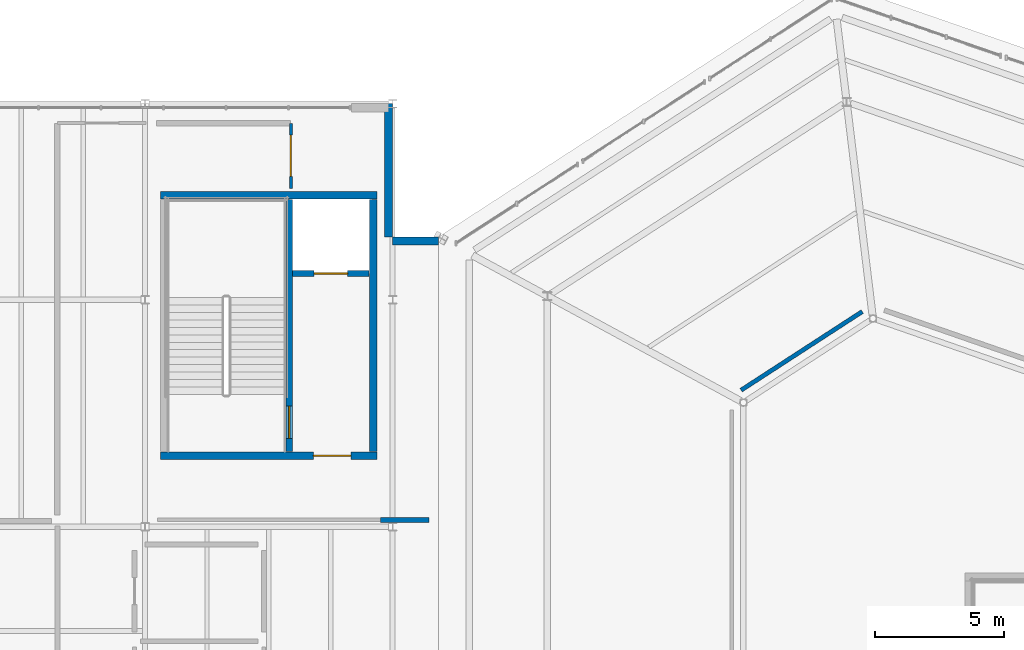
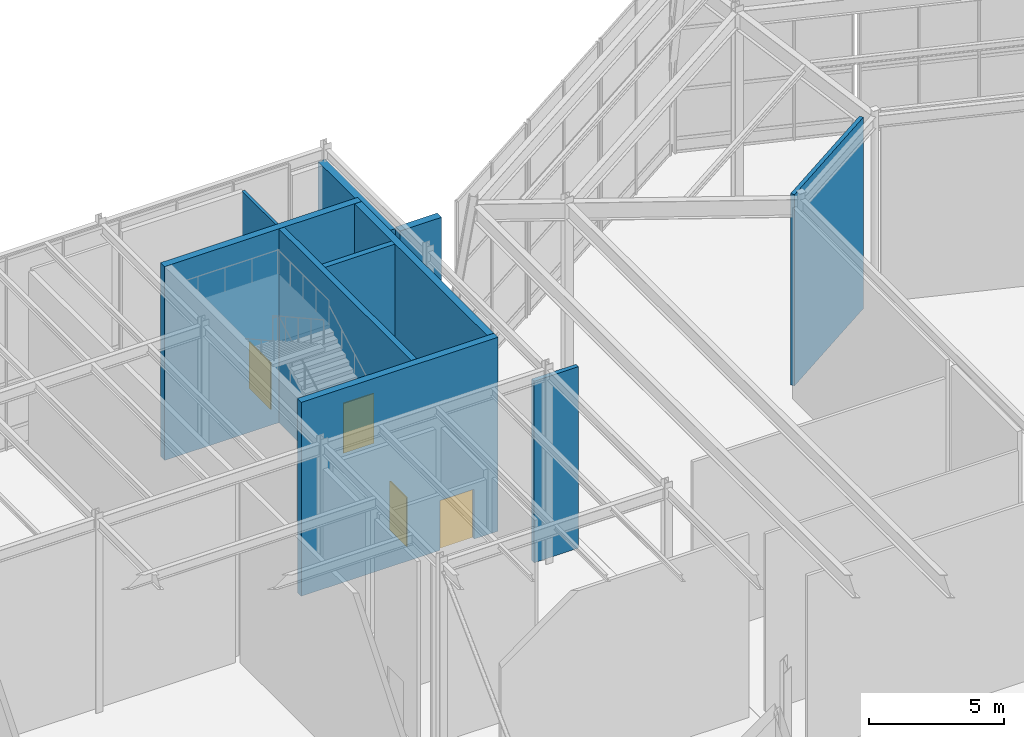
# One storey, part 38 of 48: 10 walls, 4 doors, 4 openings.
"""IFC4 building model written with IfcOpenShell, lengths in metres."""

from ifc_helpers import new_model, si_unit, direction, frame, frame_2d, origin, place, context, subcontext, project, spatial, rectangle, extrude, material, layer, layer_set, type_object, element, fill, save


model = new_model("IFC4")

# Units and contexts
model_context = context("Model", 3, precision=1e-05, world=origin(), true_north=direction((0.0, 1.0)))
body_context = subcontext(model_context, "Body", "Model", "MODEL_VIEW")
ifc_project = project(units=[si_unit("LENGTHUNIT", "METRE"), si_unit("AREAUNIT", "SQUARE_METRE"), si_unit("VOLUMEUNIT", "CUBIC_METRE"), si_unit("PLANEANGLEUNIT", "RADIAN"), si_unit("MASSUNIT", "GRAM", prefix="KILO")], contexts=[model_context])

# Site, building, storey
site_placement = place(None, origin())
site = spatial("IfcSite", under=ifc_project, at=site_placement, CompositionType="ELEMENT")
building_placement = place(site_placement, origin())
building = spatial("IfcBuilding", under=site, at=building_placement, Name="Sarnbrook Museum", CompositionType="ELEMENT")
storey_placement = place(building_placement, frame((0.0, 0.0, 19.10009765625)))
storey = spatial("IfcBuildingStorey", under=building, at=storey_placement, Name="L04", CompositionType="ELEMENT", Elevation=19.10009765625)

# Wall, opening, door
ifc_material_1 = material(Name="Concrete N50 (AS 3600, f'c = 50 MPa)", Category="concrete")
ifc_layer_1 = layer(ifc_material_1, 0.300048828125)
ifc_layer_set_1 = layer_set([ifc_layer_1], Name="Concrete N50 (AS 3600, f'c = 50 MPa)")
wall_type_1 = type_object("IfcWallType", Name="CoreWall_CWRC", PredefinedType="SHEAR", material=ifc_layer_set_1)
wall_1_placement = place(storey_placement, frame((110.199951171875, 94.75, 0.0), z_axis=(0.0, 0.0, 1.0), x_axis=(1.0, 0.0, 0.0)))
wall_1 = element("IfcWall", 1, at=wall_1_placement, inside=storey, type_object=wall_type_1, Name="Core C2 Shear Wall S L04", PredefinedType="SHEAR", context=body_context, shape_type="SweptSolid", body=[
    extrude(rectangle(XDim=8.400146484375, YDim=0.300048828125, at=frame_2d((4.2001953125, 0.0))), origin(), (0.0, 0.0, 1.0), 8.744873046875),
])
opening_1_placement = place(wall_1_placement, frame((5.925048828125, 0.0, 0.0)))
opening_1 = element("IfcOpeningElement", 2, at=opening_1_placement, cuts=wall_1, Name="Opening D-LOB-C2-L04", PredefinedType="OPENING", context=body_context, shape_type="SweptSolid", body=[
    extrude(rectangle(XDim=1.449951171875, YDim=2.25, at=frame_2d((0.72509765625, 1.125))), frame((0.0, 0.16015625, 0.0), z_axis=(0.0, -1.0, 0.0), x_axis=(1.0, 0.0, 0.0)), (0.0, 0.0, 1.0), 0.320068359375),
])
ifc_material_2 = material(Name="Tasmanian Oak Acoustic Timber", Category="wood")
door_type_1 = type_object("IfcDoorType", Name="FireDoor_FD120W", OperationType="NOTDEFINED", PredefinedType="DOOR", material=ifc_material_2)
door_1_placement = place(opening_1_placement, origin())
door_1 = element("IfcDoor", 3, at=door_1_placement, inside=storey, type_object=door_type_1, Name="Core C2 Fire Lobby Entry Door L04", OperationType="SINGLE_SWING_RIGHT", OverallHeight=2.25, OverallWidth=1.449951171875, PredefinedType="DOOR", context=body_context, shape_type="SweptSolid", body=[
    extrude(rectangle(XDim=1.449951171875, YDim=2.25, at=frame_2d((0.72509765625, 1.125))), frame((0.0, 0.02490234375, 0.0), z_axis=(0.0, -1.0, 0.0), x_axis=(1.0, 0.0, 0.0)), (0.0, 0.0, 1.0), 0.050048828125),
])
fill(opening_1, door_1)

# Walls
wall_2_placement = place(storey_placement, frame((118.60009765625, 104.85009765625, 0.0), z_axis=(0.0, 0.0, 1.0), x_axis=(-1.0, 0.0, 0.0)))
element("IfcWall", 4, at=wall_2_placement, inside=storey, type_object=wall_type_1, Name="Core C2 Shear Wall N L04", PredefinedType="SHEAR", context=body_context, shape_type="SweptSolid", body=[
    extrude(rectangle(XDim=8.400146484375, YDim=0.300048828125, at=frame_2d((4.2001953125, 0.0))), origin(), (0.0, 0.0, 1.0), 8.744873046875),
])
wall_3_placement = place(storey_placement, frame((118.449951171875, 94.909912109375, 0.0), z_axis=(0.0, 0.0, 1.0), x_axis=(0.0, 1.0, 0.0)))
element("IfcWall", 5, at=wall_3_placement, inside=storey, type_object=wall_type_1, Name="Core C2 Shear Wall E L04", PredefinedType="SHEAR", context=body_context, shape_type="SweptSolid", body=[
    extrude(rectangle(XDim=9.780029296875, YDim=0.300048828125, at=frame_2d((4.89013671875, 0.0))), origin(), (0.0, 0.0, 1.0), 8.744873046875),
])

# Wall, opening, door
ifc_material_3 = material(Name="Fire-Rated Acoustic Gypsum Plasterboard")
ifc_layer_2 = layer(ifc_material_3, 0.1201171875)
ifc_layer_set_2 = layer_set([ifc_layer_2], Name="Fire-Rated Acoustic Gypsum Plasterboard")
wall_type_2 = type_object("IfcWallType", Name="PartWall_P120", PredefinedType="PARTITIONING", material=ifc_layer_set_2)
wall_4_placement = place(storey_placement, frame((115.25, 105.1201171875, 0.0), z_axis=(0.0, 0.0, 1.0), x_axis=(0.0, 1.0, 0.0)))
wall_4 = element("IfcWall", 6, at=wall_4_placement, inside=storey, type_object=wall_type_2, Name="Interior Partition Wall L04-0783", PredefinedType="PARTITIONING", context=body_context, shape_type="SweptSolid", body=[
    extrude(rectangle(XDim=2.519775390625, YDim=0.1201171875, at=frame_2d((1.259765625, 0.0))), origin(), (0.0, 0.0, 1.0), 8.6298828125),
])
opening_2_placement = place(wall_4_placement, frame((0.4599609375, 0.0, 0.0)))
opening_2 = element("IfcOpeningElement", 7, at=opening_2_placement, cuts=wall_4, Name="Opening D-L04-221", PredefinedType="OPENING", context=body_context, shape_type="SweptSolid", body=[
    extrude(rectangle(XDim=1.60009765625, YDim=2.10009765625, at=frame_2d((0.800048828125, 1.050048828125))), frame((0.0, 0.070068359375, 0.0), z_axis=(0.0, -1.0, 0.0), x_axis=(1.0, 0.0, 0.0)), (0.0, 0.0, 1.0), 0.14013671875),
])
ifc_material_4 = material(Name="Patinated Architectural Bronze")
door_type_2 = type_object("IfcDoorType", Name="ServiceGate_G1", OperationType="NOTDEFINED", PredefinedType="GATE", material=ifc_material_4)
door_2_placement = place(opening_2_placement, origin())
door_2 = element("IfcDoor", 8, at=door_2_placement, inside=storey, type_object=door_type_2, Name="Climate & Anthropocene Exhibition L04-11 Door D-L04-221", OperationType="DOUBLE_DOOR_SINGLE_SWING", OverallHeight=2.10009765625, OverallWidth=1.60009765625, PredefinedType="GATE", context=body_context, shape_type="SweptSolid", body=[
    extrude(rectangle(XDim=1.60009765625, YDim=2.10009765625, at=frame_2d((0.800048828125, 1.050048828125))), frame((0.0, 0.02490234375, 0.0), z_axis=(0.0, -1.0, 0.0), x_axis=(1.0, 0.0, 0.0)), (0.0, 0.0, 1.0), 0.050048828125),
])
fill(opening_2, door_2)

# Walls
ifc_layer_3 = layer(ifc_material_3, 0.1650390625)
ifc_layer_set_3 = layer_set([ifc_layer_3], Name="Fire-Rated Acoustic Gypsum Plasterboard")
wall_type_3 = type_object("IfcWallType", Name="PartWall_P165", PredefinedType="PARTITIONING", material=ifc_layer_set_3)
wall_5_placement = place(storey_placement, frame((137.409423828125, 100.339111328125, 0.0), z_axis=(0.0, 0.0, 1.0), x_axis=(-0.838914477988, -0.544263262238, 0.0)))
element("IfcWall", 9, at=wall_5_placement, inside=storey, type_object=wall_type_3, Name="Interior Partition Wall L04-0752", PredefinedType="PARTITIONING", context=body_context, shape_type="SweptSolid", body=[
    extrude(rectangle(XDim=5.599609375, YDim=0.1650390625, at=frame_2d((2.7998046875, 0.0))), origin(), (0.0, 0.0, 1.0), 8.6298828125),
])
ifc_layer_4 = layer(ifc_material_3, 0.179931640625)
ifc_layer_set_4 = layer_set([ifc_layer_4], Name="Fire-Rated Acoustic Gypsum Plasterboard")
wall_type_4 = type_object("IfcWallType", Name="PartWall_P180", PredefinedType="PARTITIONING", material=ifc_layer_set_4)
wall_6_placement = place(storey_placement, frame((118.719970703125, 92.260009765625, 0.0), z_axis=(0.0, 0.0, 1.0), x_axis=(1.0, 0.0, 0.0)))
element("IfcWall", 10, at=wall_6_placement, inside=storey, type_object=wall_type_4, Name="Interior Partition Wall L04-0800", PredefinedType="PARTITIONING", context=body_context, shape_type="SweptSolid", body=[
    extrude(rectangle(XDim=1.897216796875, YDim=0.179931640625, at=frame_2d((0.94873046875, 0.0))), origin(), (0.0, 0.0, 1.0), 8.18701171875),
])

# Wall, opening, door
ifc_material_5 = material(Name="Concrete N40 (AS 3600, f'c = 40 MPa)", Category="concrete")
ifc_layer_5 = layer(ifc_material_5, 0.239990234375)
ifc_layer_set_5 = layer_set([ifc_layer_5], Name="Concrete N40 (AS 3600, f'c = 40 MPa)")
wall_type_5 = type_object("IfcWallType", Name="ShaftWall_SWRC", PredefinedType="SOLIDWALL", material=ifc_layer_set_5)
wall_7_placement = place(storey_placement, frame((115.18994140625, 94.909912109375, 0.0), z_axis=(0.0, 0.0, 1.0), x_axis=(0.0, 1.0, 0.0)))
wall_7 = element("IfcWall", 11, at=wall_7_placement, inside=storey, type_object=wall_type_5, Name="Stairwell ST2 Fire Shaft Wall L04", PredefinedType="SOLIDWALL", context=body_context, shape_type="SweptSolid", body=[
    extrude(rectangle(XDim=9.780029296875, YDim=0.239990234375, at=frame_2d((4.89013671875, 0.0))), origin(), (0.0, 0.0, 1.0), 8.744873046875),
])
opening_3_placement = place(wall_7_placement, frame((0.514892578125, 0.0, 0.0)))
opening_3 = element("IfcOpeningElement", 12, at=opening_3_placement, cuts=wall_7, Name="Opening D-ST-ST2-L04", PredefinedType="OPENING", context=body_context, shape_type="SweptSolid", body=[
    extrude(rectangle(XDim=1.25, YDim=2.199951171875, at=frame_2d((0.625, 1.10009765625))), frame((0.0, 0.1298828125, 0.0), z_axis=(0.0, -1.0, 0.0), x_axis=(1.0, 0.0, 0.0)), (0.0, 0.0, 1.0), 0.260009765625),
])
door_type_3 = type_object("IfcDoorType", Name="FireDoor_FD120", OperationType="NOTDEFINED", PredefinedType="DOOR", material=ifc_material_2)
door_3_placement = place(opening_3_placement, origin())
door_3 = element("IfcDoor", 13, at=door_3_placement, inside=storey, type_object=door_type_3, Name="Exit Stair ST2 Fire Door L04", OperationType="SINGLE_SWING_LEFT", OverallHeight=2.199951171875, OverallWidth=1.25, PredefinedType="DOOR", context=body_context, shape_type="SweptSolid", body=[
    extrude(rectangle(XDim=1.25, YDim=2.199951171875, at=frame_2d((0.625, 1.10009765625))), frame((0.0, 0.02490234375, 0.0), z_axis=(0.0, -1.0, 0.0), x_axis=(1.0, 0.0, 0.0)), (0.0, 0.0, 1.0), 0.050048828125),
])
fill(opening_3, door_3)

wall_8_placement = place(storey_placement, frame((115.320068359375, 101.820068359375, 0.0), z_axis=(0.0, 0.0, 1.0), x_axis=(1.0, 0.0, 0.0)))
wall_8 = element("IfcWall", 14, at=wall_8_placement, inside=storey, type_object=wall_type_5, Name="Lift EL2 Shaft Front Wall L04", PredefinedType="SOLIDWALL", context=body_context, shape_type="SweptSolid", body=[
    extrude(rectangle(XDim=2.969970703125, YDim=0.239990234375, at=frame_2d((1.48486328125, 0.0))), origin(), (0.0, 0.0, 1.0), 8.744873046875),
])
opening_4_placement = place(wall_8_placement, frame((0.8349609375, 0.0, 0.0)))
opening_4 = element("IfcOpeningElement", 15, at=opening_4_placement, cuts=wall_8, Name="Opening LD-EL2-L04", PredefinedType="OPENING", context=body_context, shape_type="SweptSolid", body=[
    extrude(rectangle(XDim=1.300048828125, YDim=2.25, at=frame_2d((0.64990234375, 1.125))), frame((0.0, 0.1298828125, 0.0), z_axis=(0.0, -1.0, 0.0), x_axis=(1.0, 0.0, 0.0)), (0.0, 0.0, 1.0), 0.260009765625),
])
ifc_material_6 = material(Name="Brushed Stainless Steel Grade 316", Category="steel")
door_type_4 = type_object("IfcDoorType", Name="LiftDoor_FF130", OperationType="DOUBLE_DOOR_SLIDING", PredefinedType="DOOR", material=ifc_material_6)
door_4_placement = place(opening_4_placement, origin())
door_4 = element("IfcDoor", 16, at=door_4_placement, inside=storey, type_object=door_type_4, Name="Lift Landing Sliding Door LD-EL2-L04", OperationType="DOUBLE_DOOR_SLIDING", OverallHeight=2.25, OverallWidth=1.300048828125, PredefinedType="DOOR", context=body_context, shape_type="SweptSolid", body=[
    extrude(rectangle(XDim=1.300048828125, YDim=2.25, at=frame_2d((0.64990234375, 1.125))), frame((0.0, 0.02490234375, 0.0), z_axis=(0.0, -1.0, 0.0), x_axis=(1.0, 0.0, 0.0)), (0.0, 0.0, 1.0), 0.050048828125),
])
fill(opening_4, door_4)

# Walls
ifc_material_7 = material(Name="Victorian Bluestone Ashlar Masonry", Category="masonry")
ifc_layer_6 = layer(ifc_material_7, 0.320068359375)
ifc_layer_set_6 = layer_set([ifc_layer_6], Name="Victorian Bluestone Ashlar Masonry")
wall_type_6 = type_object("IfcWallType", Name="Wall_LimestoneSpandrel320", PredefinedType="STANDARD", material=ifc_layer_set_6)
wall_9_placement = place(storey_placement, frame((120.977294921875, 103.074462890625, 0.0), z_axis=(0.0, 0.0, 1.0), x_axis=(-1.0, 0.0, 0.0)))
element("IfcWall", 17, at=wall_9_placement, inside=storey, type_object=wall_type_6, Name="Classical Sandstone Facade Wall L04-08", PredefinedType="STANDARD", context=body_context, shape_type="SweptSolid", body=[
    extrude(rectangle(XDim=1.77734375, YDim=0.320068359375, at=frame_2d((0.888671875, 0.0))), origin(), (0.0, 0.0, 1.0), 8.27783203125),
])
wall_10_placement = place(storey_placement, frame((119.0400390625, 103.234619140625, 0.0), z_axis=(0.0, 0.0, 1.0), x_axis=(0.0, 1.0, 0.0)))
element("IfcWall", 18, at=wall_10_placement, inside=storey, type_object=wall_type_6, Name="Classical Sandstone Facade Wall L04-09", PredefinedType="STANDARD", context=body_context, shape_type="SweptSolid", body=[
    extrude(rectangle(XDim=5.165283203125, YDim=0.320068359375, at=frame_2d((2.58251953125, 0.0))), origin(), (0.0, 0.0, 1.0), 8.201904296875),
])

save(model, "model.ifc")
